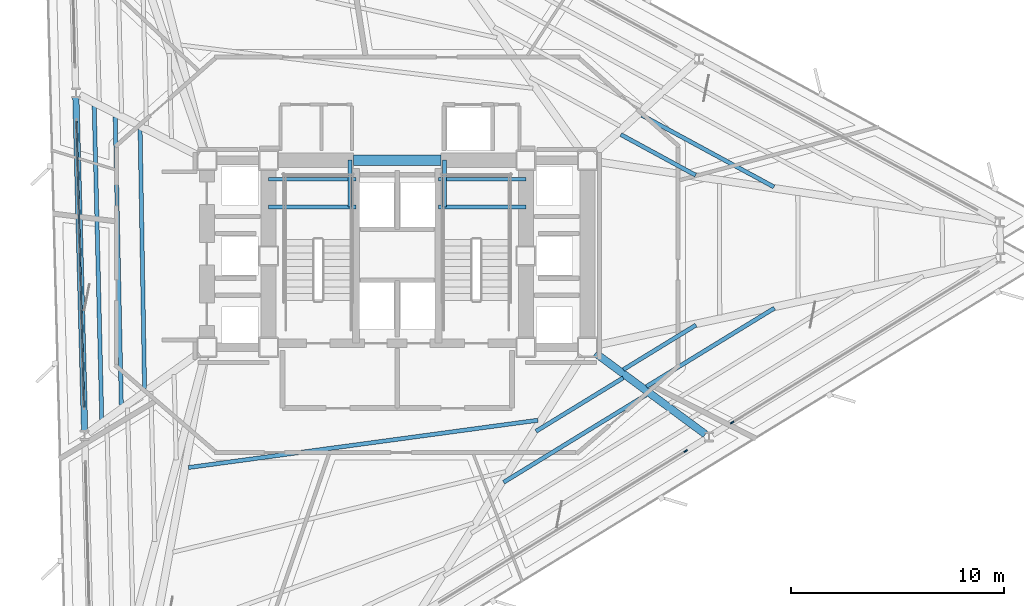
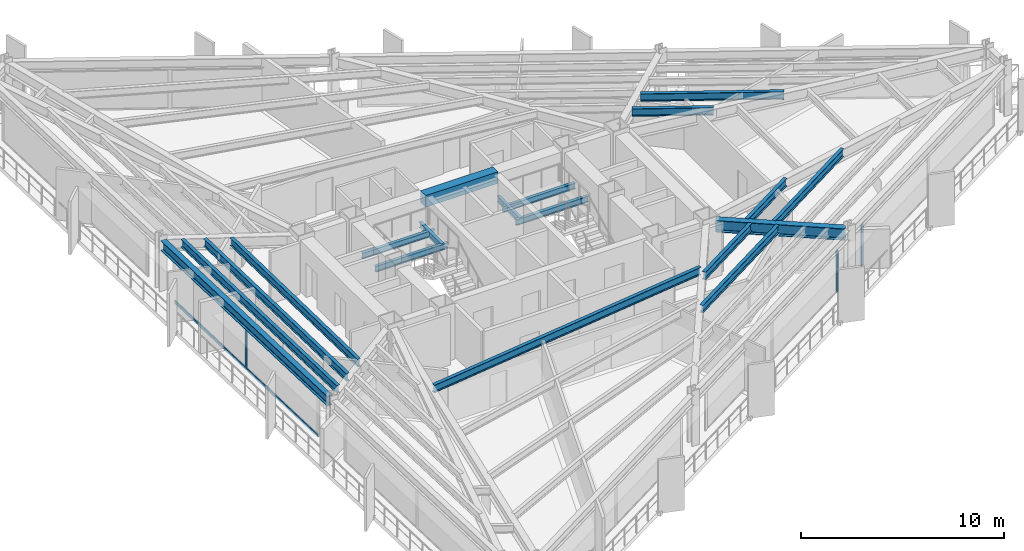
# One storey, part 3 of 14: 19 beams, 7 members, 3 elements without a shape of their own.
"""IFC4 building model written with IfcOpenShell, lengths in metres."""

from ifc_helpers import new_model, si_unit, direction, frame, origin, origin_2d, place, context, subcontext, project, spatial, rectangle, i_section, extrude, material, layer, layer_set, material_profile, profile_set, type_object, element, aggregate, save


model = new_model("IFC4")

# Units and contexts
model_context = context("Model", 3, precision=1e-05, world=origin(), true_north=direction((0.0, 1.0)))
body_context = subcontext(model_context, "Body", "Model", "MODEL_VIEW")
ifc_project = project(units=[si_unit("LENGTHUNIT", "METRE"), si_unit("AREAUNIT", "SQUARE_METRE"), si_unit("VOLUMEUNIT", "CUBIC_METRE"), si_unit("PLANEANGLEUNIT", "RADIAN"), si_unit("MASSUNIT", "GRAM", prefix="KILO")], contexts=[model_context])

# Site, building, storey
site_placement = place(None, origin())
site = spatial("IfcSite", under=ifc_project, at=site_placement, CompositionType="ELEMENT")
building_placement = place(site_placement, origin())
building = spatial("IfcBuilding", under=site, at=building_placement, Name="Rocaltana Carrier Exchange", CompositionType="ELEMENT")
storey_placement = place(building_placement, frame((0.0, 0.0, 35.679931640625)))
storey = spatial("IfcBuildingStorey", under=building, at=storey_placement, Name="L11", CompositionType="ELEMENT", Elevation=35.679931640625)

# Curtain wall, member
ifc_material_1 = material(Name="Aluminium 6063-T6", Category="aluminium")
ifc_layer = layer(ifc_material_1, 0.179931640625)
ifc_layer_set = layer_set([ifc_layer], Name="Aluminium 6063-T6")
curtain_wall_type = type_object("IfcCurtainWallType", Name="Sandstone Spandrel Unitised Curtain Wall CW-01", PredefinedType="NOTDEFINED", material=ifc_layer_set)
curtain_wall_1_placement = place(storey_placement, origin())
curtain_wall_1 = element("IfcCurtainWall", 1, at=curtain_wall_1_placement, inside=storey, type_object=curtain_wall_type, Name="L11 CW-01 Run CW-L11-F2S2", PredefinedType="NOTDEFINED")
ifc_material_2 = material(Name="Aluminium 6063-T6", Category="aluminium")
ifc_material_profile_1 = material_profile(ifc_material_2, rectangle(XDim=0.06494140625, YDim=0.179931640625, at=origin_2d()), Name="AL-65X180")
ifc_profile_set_1 = profile_set([ifc_material_profile_1], Name="Aluminium 6063-T6")
member_type_1 = type_object("IfcMemberType", Name="CW-01 Mullion AL-65X180", PredefinedType="MULLION", material=ifc_profile_set_1)
member_1_placement = place(storey_placement, frame((-14.91064453125, -0.390380859375, 0.0), z_axis=(0.0, 0.0, 1.0), x_axis=(0.99965733548, 0.026176547142, 0.0)))
member_1 = element("IfcMember", 2, at=member_1_placement, type_object=member_type_1, Name="CW-01 mullion 2", PredefinedType="MULLION", context=body_context, shape_type="SweptSolid", body=[
    extrude(rectangle(XDim=0.06494140625, YDim=0.179931640625, at=origin_2d()), origin(), (0.0, 0.0, 1.0), 2.47802734375),
])

curtain_wall_2_placement = place(storey_placement, origin())
curtain_wall_2 = element("IfcCurtainWall", 3, at=curtain_wall_2_placement, inside=storey, type_object=curtain_wall_type, Name="L11 CW-01 Run CW-L11-F3S2", PredefinedType="NOTDEFINED")
member_2_placement = place(storey_placement, frame((13.563720703125, -9.181884765625, 0.0), z_axis=(0.0, 0.0, 1.0), x_axis=(-0.522499812415, 0.852639399762, 0.0)))
member_2 = element("IfcMember", 4, at=member_2_placement, type_object=member_type_1, Name="CW-01 mullion 3", PredefinedType="MULLION", context=body_context, shape_type="SweptSolid", body=[
    extrude(rectangle(XDim=0.06494140625, YDim=0.179931640625, at=origin_2d()), origin(), (0.0, 0.0, 1.0), 2.47802734375),
])
aggregate(curtain_wall_2, [member_2])

curtain_wall_3_placement = place(storey_placement, origin())
curtain_wall_3 = element("IfcCurtainWall", 5, at=curtain_wall_3_placement, inside=storey, type_object=curtain_wall_type, Name="L11 CW-01 Run CW-L11-F3S3", PredefinedType="NOTDEFINED")
member_3_placement = place(storey_placement, frame((15.750732421875, -7.841552734375, 0.0), z_axis=(0.0, 0.0, 1.0), x_axis=(-0.522499812415, 0.852639399762, 0.0)))
member_3 = element("IfcMember", 6, at=member_3_placement, type_object=member_type_1, Name="CW-01 mullion 1", PredefinedType="MULLION", context=body_context, shape_type="SweptSolid", body=[
    extrude(rectangle(XDim=0.06494140625, YDim=0.179931640625, at=origin_2d()), origin(), (0.0, 0.0, 1.0), 2.47802734375),
])
aggregate(curtain_wall_3, [member_3])

# Member
ifc_material_3 = material(Name="Aluminium 6063-T6", Category="aluminium")
ifc_material_profile_2 = material_profile(ifc_material_3, rectangle(XDim=0.06494140625, YDim=0.179931640625, at=origin_2d()), Name="AL-65X180")
ifc_profile_set_2 = profile_set([ifc_material_profile_2], Name="Aluminium 6063-T6")
member_type_2 = type_object("IfcMemberType", Name="CW-01 Transom AL-65X180", PredefinedType="USERDEFINED", material=ifc_profile_set_2)
member_4_placement = place(storey_placement, frame((-15.0869140625, 6.34228515625, 0.032470703125), z_axis=(0.026153417925, -0.999657940863, 0.0), x_axis=(0.999657940863, 0.026153417925, 0.0)))
member_4 = element("IfcMember", 7, at=member_4_placement, type_object=member_type_2, Name="CW-01 transom 1.1", ObjectType="TRANSOM", PredefinedType="USERDEFINED", context=body_context, shape_type="SweptSolid", body=[
    extrude(rectangle(XDim=0.06494140625, YDim=0.179931640625, at=origin_2d()), origin(), (0.0, 0.0, 1.0), 6.702392578125),
])

member_5_placement = place(storey_placement, frame((-15.0869140625, 6.34228515625, 2.445556640625), z_axis=(0.026153417925, -0.999657940863, 0.0), x_axis=(0.999657940863, 0.026153417925, 0.0)))
member_5 = element("IfcMember", 8, at=member_5_placement, type_object=member_type_2, Name="CW-01 transom 1.2", ObjectType="TRANSOM", PredefinedType="USERDEFINED", context=body_context, shape_type="SweptSolid", body=[
    extrude(rectangle(XDim=0.06494140625, YDim=0.179931640625, at=origin_2d()), origin(), (0.0, 0.0, 1.0), 6.702392578125),
])

member_6_placement = place(storey_placement, frame((-14.909912109375, -0.4228515625, 0.032470703125), z_axis=(0.026189818331, -0.999656987879, 0.0), x_axis=(0.999656987879, 0.026189818331, 0.0)))
member_6 = element("IfcMember", 9, at=member_6_placement, type_object=member_type_2, Name="CW-01 transom 2.1", ObjectType="TRANSOM", PredefinedType="USERDEFINED", context=body_context, shape_type="SweptSolid", body=[
    extrude(rectangle(XDim=0.06494140625, YDim=0.179931640625, at=origin_2d()), origin(), (0.0, 0.0, 1.0), 6.702392578125),
])

member_7_placement = place(storey_placement, frame((-14.909912109375, -0.4228515625, 2.445556640625), z_axis=(0.026189818331, -0.999656987879, 0.0), x_axis=(0.999656987879, 0.026189818331, 0.0)))
member_7 = element("IfcMember", 10, at=member_7_placement, type_object=member_type_2, Name="CW-01 transom 2.2", ObjectType="TRANSOM", PredefinedType="USERDEFINED", context=body_context, shape_type="SweptSolid", body=[
    extrude(rectangle(XDim=0.06494140625, YDim=0.179931640625, at=origin_2d()), origin(), (0.0, 0.0, 1.0), 6.702392578125),
])

aggregate(curtain_wall_1, [member_1, member_4, member_5, member_6, member_7])

# Beams
ifc_material_4 = material(Name="Concrete C60/75", Category="concrete")
ifc_material_profile_3 = material_profile(ifc_material_4, rectangle(XDim=0.5, YDim=0.699951171875, at=origin_2d()), Name="RC-BM-500X700")
ifc_profile_set_3 = profile_set([ifc_material_profile_3], Name="Concrete C60/75")
beam_type_1 = type_object("IfcBeamType", Name="Core Coupling Lintel 500x700", PredefinedType="LINTEL", material=ifc_profile_set_3)
beam_1_placement = place(storey_placement, frame((-2.050048828125, 4.5, 2.748046875), z_axis=(1.0, 0.0, 0.0), x_axis=(0.0, 1.0, 0.0)))
element("IfcBeam", 11, at=beam_1_placement, inside=storey, type_object=beam_type_1, Name="L11 Core Coupling Lintel CL-N", PredefinedType="LINTEL", context=body_context, shape_type="SweptSolid", body=[
    extrude(rectangle(XDim=0.5, YDim=0.699951171875, at=origin_2d()), origin(), (0.0, 0.0, 1.0), 4.10009765625),
])
ifc_material_5 = material(Name="Steel S355", Category="steel")
ifc_material_profile_4 = material_profile(ifc_material_5, i_section(OverallWidth=0.172119140625, OverallDepth=0.35791015625, WebThickness=0.0078125, FlangeThickness=0.01318359375, FilletRadius=0.011962890625, at=origin_2d()), Name="W14X38")
ifc_profile_set_4 = profile_set([ifc_material_profile_4], Name="Steel S355")
beam_type_2 = type_object("IfcBeamType", Name="Floor Joist W14X38", PredefinedType="JOIST", material=ifc_profile_set_4)
for number, where, z_axis, x_axis, name in (
    (12, (-6.050048828125, 2.300048828125, 1.301025390625), (1.0, 0.0, 0.0), (0.0, 1.0, 0.0), "L11 ST-1 Landing Carrier 1"),
    (13, (1.93994140625, 2.300048828125, 1.301025390625), (1.0, 0.0, 0.0), (0.0, 1.0, 0.0), "L11 ST-2 Landing Carrier 1"),
    (14, (-6.050048828125, 3.60009765625, 1.301025390625), (1.0, 0.0, 0.0), (0.0, 1.0, 0.0), "L11 ST-1 Landing Carrier 2"),
    (15, (1.93994140625, 3.60009765625, 1.301025390625), (1.0, 0.0, 0.0), (0.0, 1.0, 0.0), "L11 ST-2 Landing Carrier 2"),
):
    element("IfcBeam", number, at=place(storey_placement, frame(where, z_axis=z_axis, x_axis=x_axis)), inside=storey, type_object=beam_type_2, Name=name, PredefinedType="JOIST", context=body_context, shape_type="SweptSolid", body=[
        extrude(i_section(OverallWidth=0.172119140625, OverallDepth=0.35791015625, WebThickness=0.0078125, FlangeThickness=0.01318359375, FilletRadius=0.011962890625, at=origin_2d()), origin(), (0.0, 0.0, 1.0), 4.110107421875),
    ])
for number, where, z_axis, x_axis, name in (
    (16, (-2.219970703125, 2.300048828125, 1.301025390625), (0.0, 1.0, 0.0), (-1.0, 0.0, 0.0), "L11 ST-1 Landing Cross Trimmer"),
    (17, (2.219970703125, 2.300048828125, 1.301025390625), (0.0, 1.0, 0.0), (-1.0, 0.0, 0.0), "L11 ST-2 Landing Cross Trimmer"),
):
    element("IfcBeam", number, at=place(storey_placement, frame(where, z_axis=z_axis, x_axis=x_axis)), inside=storey, type_object=beam_type_2, Name=name, PredefinedType="JOIST", context=body_context, shape_type="SweptSolid", body=[
        extrude(i_section(OverallWidth=0.172119140625, OverallDepth=0.35791015625, WebThickness=0.0078125, FlangeThickness=0.01318359375, FilletRadius=0.011962890625, at=origin_2d()), origin(), (0.0, 0.0, 1.0), 2.199951171875),
    ])
ifc_material_6 = material(Name="Steel S355", Category="steel")
ifc_material_profile_5 = material_profile(ifc_material_6, i_section(OverallWidth=0.193115234375, OverallDepth=0.466064453125, WebThickness=0.011474609375, FlangeThickness=0.01904296875, FilletRadius=0.013916015625, at=origin_2d()), Name="W18X65")
ifc_profile_set_5 = profile_set([ifc_material_profile_5], Name="Steel S355")
beam_type_3 = type_object("IfcBeamType", Name="Floor Joist W18X65", PredefinedType="JOIST", material=ifc_profile_set_5)
beam_2_placement = place(storey_placement, frame((14.03466796875, 3.794921875, 2.864990234375), z_axis=(-0.878819095461, 0.477155108381, 0.0), x_axis=(-0.477155108381, -0.878819095461, 0.0)))
element("IfcBeam", 18, at=beam_2_placement, inside=storey, type_object=beam_type_3, Name="FJ-L11-01-1", PredefinedType="JOIST", context=body_context, shape_type="SweptSolid", body=[
    extrude(i_section(OverallWidth=0.193115234375, OverallDepth=0.466064453125, WebThickness=0.011474609375, FlangeThickness=0.01904296875, FilletRadius=0.013916015625, at=origin_2d()), origin(), (0.0, 0.0, 1.0), 4.003662109375),
])
beam_3_placement = place(storey_placement, frame((17.718994140625, 3.240966796875, 2.864990234375), z_axis=(-0.878818644884, 0.477155938247, 0.0), x_axis=(-0.477155938247, -0.878818644884, 0.0)))
element("IfcBeam", 19, at=beam_3_placement, inside=storey, type_object=beam_type_3, Name="FJ-L11-01-2", PredefinedType="JOIST", context=body_context, shape_type="SweptSolid", body=[
    extrude(i_section(OverallWidth=0.193115234375, OverallDepth=0.466064453125, WebThickness=0.011474609375, FlangeThickness=0.01904296875, FilletRadius=0.013916015625, at=origin_2d()), origin(), (0.0, 0.0, 1.0), 7.06298828125),
])
beam_4_placement = place(storey_placement, frame((-12.094482421875, 5.9384765625, 2.864990234375), z_axis=(0.01715934819, -0.999852767546, 0.0), x_axis=(0.999852767546, 0.01715934819, 0.0)))
element("IfcBeam", 20, at=beam_4_placement, inside=storey, type_object=beam_type_3, Name="FJ-L11-06-2", PredefinedType="JOIST", context=body_context, shape_type="SweptSolid", body=[
    extrude(i_section(OverallWidth=0.193115234375, OverallDepth=0.466064453125, WebThickness=0.011474609375, FlangeThickness=0.01904296875, FilletRadius=0.013916015625, at=origin_2d()), origin(), (0.0, 0.0, 1.0), 12.178955078125),
])
beam_5_placement = place(storey_placement, frame((-13.266357421875, 6.538330078125, 2.864990234375), z_axis=(0.021217434782, -0.999774884892, 0.0), x_axis=(0.999774884892, 0.021217434782, 0.0)))
element("IfcBeam", 21, at=beam_5_placement, inside=storey, type_object=beam_type_3, Name="FJ-L11-06-3", PredefinedType="JOIST", context=body_context, shape_type="SweptSolid", body=[
    extrude(i_section(OverallWidth=0.193115234375, OverallDepth=0.466064453125, WebThickness=0.011474609375, FlangeThickness=0.01904296875, FilletRadius=0.013916015625, at=origin_2d()), origin(), (0.0, 0.0, 1.0), 13.56640625),
])
beam_6_placement = place(storey_placement, frame((-14.25341796875, 7.04345703125, 2.864990234375), z_axis=(0.024041709719, -0.999710956324, 0.0), x_axis=(0.999710956324, 0.024041709719, 0.0)))
element("IfcBeam", 22, at=beam_6_placement, inside=storey, type_object=beam_type_3, Name="FJ-L11-06-4", PredefinedType="JOIST", context=body_context, shape_type="SweptSolid", body=[
    extrude(i_section(OverallWidth=0.193115234375, OverallDepth=0.466064453125, WebThickness=0.011474609375, FlangeThickness=0.01904296875, FilletRadius=0.013916015625, at=origin_2d()), origin(), (0.0, 0.0, 1.0), 14.734619140625),
])
beam_7_placement = place(storey_placement, frame((-9.819091796875, -9.956787109375, 2.864990234375), z_axis=(0.990955694238, 0.13418946329, 0.0), x_axis=(-0.13418946329, 0.990955694238, 0.0)))
element("IfcBeam", 23, at=beam_7_placement, inside=storey, type_object=beam_type_3, Name="FJ-L11-09-1", PredefinedType="JOIST", context=body_context, shape_type="SweptSolid", body=[
    extrude(i_section(OverallWidth=0.193115234375, OverallDepth=0.466064453125, WebThickness=0.011474609375, FlangeThickness=0.01904296875, FilletRadius=0.013916015625, at=origin_2d()), origin(), (0.0, 0.0, 1.0), 16.58349609375),
])
beam_8_placement = place(storey_placement, frame((6.52978515625, -8.25, 2.864990234375), z_axis=(0.852639920922, 0.522498961961, 0.0), x_axis=(-0.522498961961, 0.852639920922, 0.0)))
element("IfcBeam", 24, at=beam_8_placement, inside=storey, type_object=beam_type_3, Name="FJ-L11-10-1", PredefinedType="JOIST", context=body_context, shape_type="SweptSolid", body=[
    extrude(i_section(OverallWidth=0.193115234375, OverallDepth=0.466064453125, WebThickness=0.011474609375, FlangeThickness=0.01904296875, FilletRadius=0.013916015625, at=origin_2d()), origin(), (0.0, 0.0, 1.0), 4.80908203125),
])
beam_9_placement = place(storey_placement, frame((5.005859375, -10.648681640625, 2.864990234375), z_axis=(0.852633806111, 0.522508940283, 0.0), x_axis=(-0.522508940283, 0.852633806111, 0.0)))
element("IfcBeam", 25, at=beam_9_placement, inside=storey, type_object=beam_type_3, Name="FJ-L11-10-2", PredefinedType="JOIST", context=body_context, shape_type="SweptSolid", body=[
    extrude(i_section(OverallWidth=0.193115234375, OverallDepth=0.466064453125, WebThickness=0.011474609375, FlangeThickness=0.01904296875, FilletRadius=0.013916015625, at=origin_2d()), origin(), (0.0, 0.0, 1.0), 7.867919921875),
])
beam_10_placement = place(storey_placement, frame((10.63720703125, -5.34765625, 2.864990234375), z_axis=(0.852634552526, 0.522507722277, 0.0), x_axis=(-0.522507722277, 0.852634552526, 0.0)))
element("IfcBeam", 26, at=beam_10_placement, inside=storey, type_object=beam_type_3, Name="FJ-L11-11-1", PredefinedType="JOIST", context=body_context, shape_type="SweptSolid", body=[
    extrude(i_section(OverallWidth=0.193115234375, OverallDepth=0.466064453125, WebThickness=0.011474609375, FlangeThickness=0.01904296875, FilletRadius=0.013916015625, at=origin_2d()), origin(), (0.0, 0.0, 1.0), 4.00390625),
])
beam_11_placement = place(storey_placement, frame((11.721435546875, -6.147705078125, 2.864990234375), z_axis=(0.85265490201, 0.522474514286, 0.0), x_axis=(-0.522474514286, 0.85265490201, 0.0)))
element("IfcBeam", 27, at=beam_11_placement, inside=storey, type_object=beam_type_3, Name="FJ-L11-11-2", PredefinedType="JOIST", context=body_context, shape_type="SweptSolid", body=[
    extrude(i_section(OverallWidth=0.193115234375, OverallDepth=0.466064453125, WebThickness=0.011474609375, FlangeThickness=0.01904296875, FilletRadius=0.013916015625, at=origin_2d()), origin(), (0.0, 0.0, 1.0), 7.06298828125),
])
ifc_material_7 = material(Name="Steel S355", Category="steel")
ifc_material_profile_6 = material_profile(ifc_material_7, i_section(OverallWidth=0.35498046875, OverallDepth=0.695068359375, WebThickness=0.015380859375, FlangeThickness=0.02490234375, FilletRadius=0.01806640625, at=origin_2d()), Name="W27X146")
ifc_profile_set_6 = profile_set([ifc_material_profile_6], Name="Steel S355")
beam_type_4 = type_object("IfcBeamType", Name="Radial Girder W27X146", PredefinedType="BEAM", material=ifc_profile_set_6)
beam_12_placement = place(storey_placement, frame((9.32568359375, -4.577392578125, 2.75048828125), z_axis=(0.804638080619, -0.59376557598, 0.0), x_axis=(0.59376557598, 0.804638080619, 0.0)))
element("IfcBeam", 28, at=beam_12_placement, inside=storey, type_object=beam_type_4, Name="RG-L11-11", PredefinedType="BEAM", context=body_context, shape_type="SweptSolid", body=[
    extrude(i_section(OverallWidth=0.35498046875, OverallDepth=0.695068359375, WebThickness=0.015380859375, FlangeThickness=0.02490234375, FilletRadius=0.01806640625, at=origin_2d()), origin(), (0.0, 0.0, 1.0), 6.422119140625),
])
ifc_material_8 = material(Name="Steel S355", Category="steel")
ifc_material_profile_7 = material_profile(ifc_material_8, i_section(OverallWidth=0.300048828125, OverallDepth=0.60009765625, WebThickness=0.015380859375, FlangeThickness=0.030029296875, FilletRadius=0.027099609375, at=origin_2d()), Name="HEB600")
ifc_profile_set_7 = profile_set([ifc_material_profile_7], Name="Steel S355")
beam_type_5 = type_object("IfcBeamType", Name="Spandrel Edge Beam HEB600", PredefinedType="SPANDREL", material=ifc_profile_set_7)
beam_13_placement = place(storey_placement, frame((-15.1162109375, 7.452880859375, 2.798095703125), z_axis=(0.026184348618, -0.999657131164, 0.0), x_axis=(0.999657131164, 0.026184348618, 0.0)))
element("IfcBeam", 29, at=beam_13_placement, inside=storey, type_object=beam_type_5, Name="SP-L11-06", PredefinedType="SPANDREL", context=body_context, shape_type="SweptSolid", body=[
    extrude(i_section(OverallWidth=0.300048828125, OverallDepth=0.60009765625, WebThickness=0.015380859375, FlangeThickness=0.030029296875, FilletRadius=0.027099609375, at=origin_2d()), origin(), (0.0, 0.0, 1.0), 15.692138671875),
])

save(model, "model.ifc")
